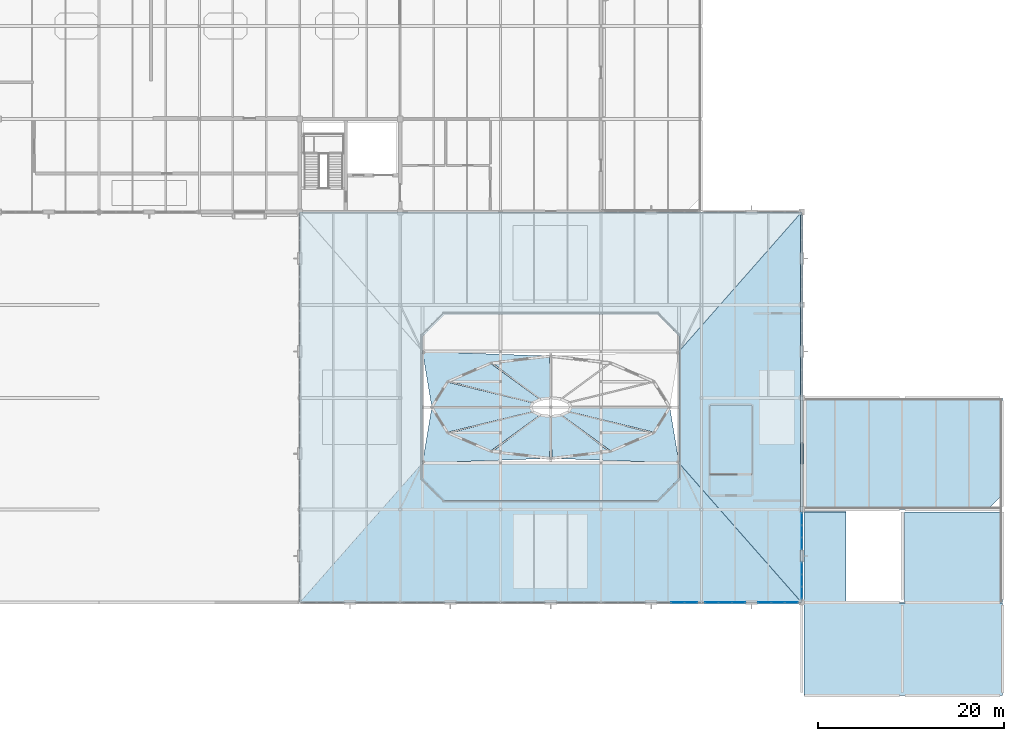
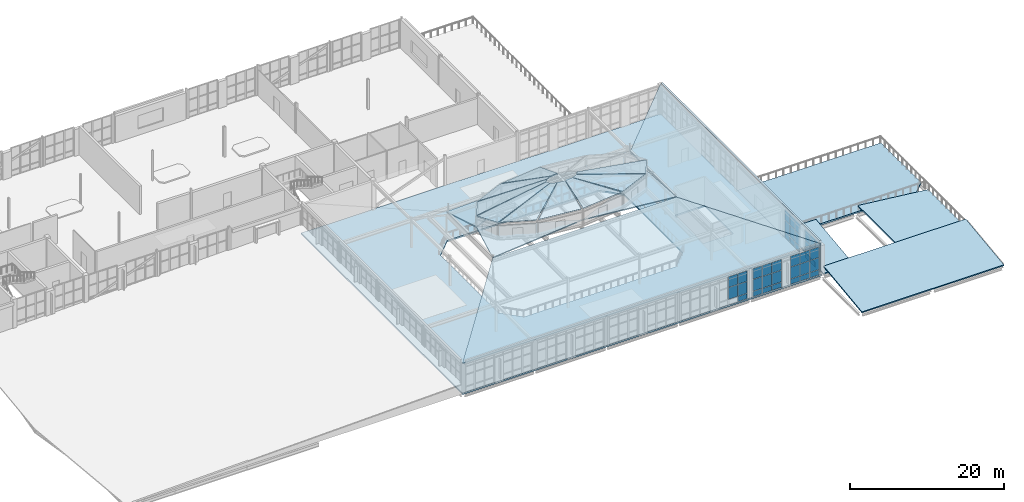
# One storey, part 61 of 86: 42 plates, 19 slabs, 5 elements without a shape of their own.
"""IFC4 building model written with IfcOpenShell, lengths in metres."""

from ifc_helpers import new_model, si_unit, direction, frame, origin, origin_2d, place, context, subcontext, project, spatial, polyline, rectangle, outline, extrude, material, layer, layer_set, type_object, element, aggregate, save


model = new_model("IFC4")

# Units and contexts
model_context = context("Model", 3, precision=1e-05, world=origin(), true_north=direction((0.0, 1.0)))
body_context = subcontext(model_context, "Body", "Model", "MODEL_VIEW")
ifc_project = project(units=[si_unit("LENGTHUNIT", "METRE"), si_unit("AREAUNIT", "SQUARE_METRE"), si_unit("VOLUMEUNIT", "CUBIC_METRE"), si_unit("PLANEANGLEUNIT", "RADIAN"), si_unit("MASSUNIT", "GRAM", prefix="KILO")], contexts=[model_context])

# Site, building, storey
site_placement = place(None, origin())
site = spatial("IfcSite", under=ifc_project, at=site_placement, CompositionType="ELEMENT")
building_placement = place(site_placement, origin())
building = spatial("IfcBuilding", under=site, at=building_placement, Name="Tasgan Crest Museum", CompositionType="ELEMENT")
storey_placement = place(building_placement, frame((0.0, 0.0, 24.0)))
storey = spatial("IfcBuildingStorey", under=building, at=storey_placement, Name="L04", CompositionType="ELEMENT", Elevation=24.0)

# Curtain wall, plate
ifc_material_1 = material(Name="Triple-Glazed Aluminium Curtain Wall", Category="aluminium")
ifc_layer_1 = layer(ifc_material_1, 0.179931640625, Name="CW-DRUM-X-48")
ifc_layer_set_1 = layer_set([ifc_layer_1], Name="Triple-Glazed Aluminium Curtain Wall")
curtain_wall_type_1 = type_object("IfcCurtainWallType", Name="CW-DRUM-X-48", PredefinedType="NOTDEFINED", material=ifc_layer_set_1)
curtain_wall_1_placement = place(storey_placement, origin())
curtain_wall_1 = element("IfcCurtainWall", 1, at=curtain_wall_1_placement, inside=storey, type_object=curtain_wall_type_1, Name="Curtain wall L04 192", PredefinedType="NOTDEFINED")
ifc_material_2 = material(Name="Insulated Spandrel Glass", Category="glass")
ifc_layer_2 = layer(ifc_material_2, 0.052001953125, Name="CW-PANEL-SPANDREL")
ifc_layer_set_2 = layer_set([ifc_layer_2], Name="Insulated Spandrel Glass")
plate_type_1 = type_object("IfcPlateType", Name="CW-PANEL-SPANDREL", PredefinedType="CURTAIN_PANEL", material=ifc_layer_set_2)
plate_1_placement = place(storey_placement, frame((96.08837890625, 40.0, 0.06005859375), z_axis=(0.0, 0.0, 1.0), x_axis=(1.0, 0.0, 0.0)))
plate_1 = element("IfcPlate", 2, at=plate_1_placement, type_object=plate_type_1, Name="CW03 panel 3.1", PredefinedType="CURTAIN_PANEL", context=body_context, shape_type="SweptSolid", body=[
    extrude(rectangle(XDim=1.373291015625, YDim=0.028076171875, at=origin_2d()), origin(), (0.0, 0.0, 1.0), 0.81005859375),
])

# Curtain wall, plates
curtain_wall_2_placement = place(storey_placement, origin())
curtain_wall_2 = element("IfcCurtainWall", 3, at=curtain_wall_2_placement, inside=storey, type_object=curtain_wall_type_1, Name="Curtain wall L04 193", PredefinedType="NOTDEFINED")
plate_2_placement = place(storey_placement, frame((98.311767578125, 40.0, 0.06005859375), z_axis=(0.0, 0.0, 1.0), x_axis=(1.0, 0.0, 0.0)))
plate_2 = element("IfcPlate", 4, at=plate_2_placement, type_object=plate_type_1, Name="CW03 panel 1.1", PredefinedType="CURTAIN_PANEL", context=body_context, shape_type="SweptSolid", body=[
    extrude(rectangle(XDim=1.373291015625, YDim=0.028076171875, at=origin_2d()), origin(), (0.0, 0.0, 1.0), 0.81005859375),
])
plate_3_placement = place(storey_placement, frame((99.760009765625, 40.0, 0.06005859375), z_axis=(0.0, 0.0, 1.0), x_axis=(1.0, 0.0, 0.0)))
plate_3 = element("IfcPlate", 5, at=plate_3_placement, type_object=plate_type_1, Name="CW03 panel 2.1", PredefinedType="CURTAIN_PANEL", context=body_context, shape_type="SweptSolid", body=[
    extrude(rectangle(XDim=1.4033203125, YDim=0.028076171875, at=origin_2d()), origin(), (0.0, 0.0, 1.0), 0.81005859375),
])
plate_4_placement = place(storey_placement, frame((101.208251953125, 40.0, 0.06005859375), z_axis=(0.0, 0.0, 1.0), x_axis=(1.0, 0.0, 0.0)))
plate_4 = element("IfcPlate", 6, at=plate_4_placement, type_object=plate_type_1, Name="CW03 panel 3.1", PredefinedType="CURTAIN_PANEL", context=body_context, shape_type="SweptSolid", body=[
    extrude(rectangle(XDim=1.373291015625, YDim=0.028076171875, at=origin_2d()), origin(), (0.0, 0.0, 1.0), 0.81005859375),
])

curtain_wall_3_placement = place(storey_placement, origin())
curtain_wall_3 = element("IfcCurtainWall", 7, at=curtain_wall_3_placement, inside=storey, type_object=curtain_wall_type_1, Name="Curtain wall L04 194", PredefinedType="NOTDEFINED")
plate_5_placement = place(storey_placement, frame((103.99169921875, 40.0, 0.06005859375), z_axis=(0.0, 0.0, 1.0), x_axis=(1.0, 0.0, 0.0)))
plate_5 = element("IfcPlate", 8, at=plate_5_placement, type_object=plate_type_1, Name="CW03 panel 1.1", PredefinedType="CURTAIN_PANEL", context=body_context, shape_type="SweptSolid", body=[
    extrude(rectangle(XDim=1.373291015625, YDim=0.028076171875, at=origin_2d()), origin(), (0.0, 0.0, 1.0), 0.81005859375),
])
plate_6_placement = place(storey_placement, frame((105.43994140625, 40.0, 0.06005859375), z_axis=(0.0, 0.0, 1.0), x_axis=(1.0, 0.0, 0.0)))
plate_6 = element("IfcPlate", 9, at=plate_6_placement, type_object=plate_type_1, Name="CW03 panel 2.1", PredefinedType="CURTAIN_PANEL", context=body_context, shape_type="SweptSolid", body=[
    extrude(rectangle(XDim=1.4033203125, YDim=0.028076171875, at=origin_2d()), origin(), (0.0, 0.0, 1.0), 0.81005859375),
])
plate_7_placement = place(storey_placement, frame((106.888427734375, 40.0, 0.06005859375), z_axis=(0.0, 0.0, 1.0), x_axis=(1.0, 0.0, 0.0)))
plate_7 = element("IfcPlate", 10, at=plate_7_placement, type_object=plate_type_1, Name="CW03 panel 3.1", PredefinedType="CURTAIN_PANEL", context=body_context, shape_type="SweptSolid", body=[
    extrude(rectangle(XDim=1.373291015625, YDim=0.028076171875, at=origin_2d()), origin(), (0.0, 0.0, 1.0), 0.81005859375),
])

ifc_material_3 = material(Name="Triple-Glazed Aluminium Curtain Wall", Category="aluminium")
ifc_layer_3 = layer(ifc_material_3, 0.179931640625, Name="CW-DRUM-Y10-48")
ifc_layer_set_3 = layer_set([ifc_layer_3], Name="Triple-Glazed Aluminium Curtain Wall")
curtain_wall_type_2 = type_object("IfcCurtainWallType", Name="CW-DRUM-Y10-48", PredefinedType="NOTDEFINED", material=ifc_layer_set_3)
curtain_wall_4_placement = place(storey_placement, origin())
curtain_wall_4 = element("IfcCurtainWall", 11, at=curtain_wall_4_placement, inside=storey, type_object=curtain_wall_type_2, Name="Curtain wall L04 195", PredefinedType="NOTDEFINED")
plate_8_placement = place(storey_placement, frame((108.0, 41.044921875, 0.06005859375), z_axis=(0.0, 0.0, 1.0), x_axis=(0.0, 1.0, 0.0)))
plate_8 = element("IfcPlate", 12, at=plate_8_placement, type_object=plate_type_1, Name="CW04 panel 1.1", PredefinedType="CURTAIN_PANEL", context=body_context, shape_type="SweptSolid", body=[
    extrude(rectangle(XDim=1.239990234375, YDim=0.028076171875, at=origin_2d()), origin(), (0.0, 0.0, 1.0), 0.81005859375),
])
plate_9_placement = place(storey_placement, frame((108.0, 42.360107421875, 0.06005859375), z_axis=(0.0, 0.0, 1.0), x_axis=(0.0, 1.0, 0.0)))
plate_9 = element("IfcPlate", 13, at=plate_9_placement, type_object=plate_type_1, Name="CW04 panel 2.1", PredefinedType="CURTAIN_PANEL", context=body_context, shape_type="SweptSolid", body=[
    extrude(rectangle(XDim=1.27001953125, YDim=0.028076171875, at=origin_2d()), origin(), (0.0, 0.0, 1.0), 0.81005859375),
])
plate_10_placement = place(storey_placement, frame((108.0, 43.675048828125, 0.06005859375), z_axis=(0.0, 0.0, 1.0), x_axis=(0.0, 1.0, 0.0)))
plate_10 = element("IfcPlate", 14, at=plate_10_placement, type_object=plate_type_1, Name="CW04 panel 3.1", PredefinedType="CURTAIN_PANEL", context=body_context, shape_type="SweptSolid", body=[
    extrude(rectangle(XDim=1.239990234375, YDim=0.028076171875, at=origin_2d()), origin(), (0.0, 0.0, 1.0), 0.81005859375),
])

curtain_wall_5_placement = place(storey_placement, origin())
curtain_wall_5 = element("IfcCurtainWall", 15, at=curtain_wall_5_placement, inside=storey, type_object=curtain_wall_type_2, Name="Curtain wall L04 196", PredefinedType="NOTDEFINED")
plate_11_placement = place(storey_placement, frame((108.0, 46.324951171875, 0.06005859375), z_axis=(0.0, 0.0, 1.0), x_axis=(0.0, 1.0, 0.0)))
plate_11 = element("IfcPlate", 16, at=plate_11_placement, type_object=plate_type_1, Name="CW04 panel 1.1", PredefinedType="CURTAIN_PANEL", context=body_context, shape_type="SweptSolid", body=[
    extrude(rectangle(XDim=1.239990234375, YDim=0.028076171875, at=origin_2d()), origin(), (0.0, 0.0, 1.0), 0.81005859375),
])
plate_12_placement = place(storey_placement, frame((108.0, 47.639892578125, 0.06005859375), z_axis=(0.0, 0.0, 1.0), x_axis=(0.0, 1.0, 0.0)))
plate_12 = element("IfcPlate", 17, at=plate_12_placement, type_object=plate_type_1, Name="CW04 panel 2.1", PredefinedType="CURTAIN_PANEL", context=body_context, shape_type="SweptSolid", body=[
    extrude(rectangle(XDim=1.27001953125, YDim=0.028076171875, at=origin_2d()), origin(), (0.0, 0.0, 1.0), 0.81005859375),
])
plate_13_placement = place(storey_placement, frame((108.0, 48.955078125, 0.06005859375), z_axis=(0.0, 0.0, 1.0), x_axis=(0.0, 1.0, 0.0)))
plate_13 = element("IfcPlate", 18, at=plate_13_placement, type_object=plate_type_1, Name="CW04 panel 3.1", PredefinedType="CURTAIN_PANEL", context=body_context, shape_type="SweptSolid", body=[
    extrude(rectangle(XDim=1.239990234375, YDim=0.028076171875, at=origin_2d()), origin(), (0.0, 0.0, 1.0), 0.81005859375),
])

# Plate
ifc_material_4 = material(Name="Low-E Triple Glazing", Category="glass")
ifc_layer_4 = layer(ifc_material_4, 0.0439453125, Name="CW-PANEL-TRIPLE")
ifc_layer_set_4 = layer_set([ifc_layer_4], Name="Low-E Triple Glazing")
plate_type_2 = type_object("IfcPlateType", Name="CW-PANEL-TRIPLE", PredefinedType="CURTAIN_PANEL", material=ifc_layer_set_4)
plate_14_placement = place(storey_placement, frame((94.639892578125, 40.0, 0.93017578125), z_axis=(0.0, 0.0, 1.0), x_axis=(1.0, 0.0, 0.0)))
plate_14 = element("IfcPlate", 19, at=plate_14_placement, type_object=plate_type_2, Name="CW03 panel 2.2", PredefinedType="CURTAIN_PANEL", context=body_context, shape_type="SweptSolid", body=[
    extrude(rectangle(XDim=1.4033203125, YDim=0.028076171875, at=origin_2d()), origin(), (0.0, 0.0, 1.0), 1.840087890625),
])

plate_15_placement = place(storey_placement, frame((94.639892578125, 40.0, 2.830078125), z_axis=(0.0, 0.0, 1.0), x_axis=(1.0, 0.0, 0.0)))
plate_15 = element("IfcPlate", 20, at=plate_15_placement, type_object=plate_type_2, Name="CW03 panel 2.3", PredefinedType="CURTAIN_PANEL", context=body_context, shape_type="SweptSolid", body=[
    extrude(rectangle(XDim=1.4033203125, YDim=0.028076171875, at=origin_2d()), origin(), (0.0, 0.0, 1.0), 1.669921875),
])

plate_16_placement = place(storey_placement, frame((96.08837890625, 40.0, 0.93017578125), z_axis=(0.0, 0.0, 1.0), x_axis=(1.0, 0.0, 0.0)))
plate_16 = element("IfcPlate", 21, at=plate_16_placement, type_object=plate_type_2, Name="CW03 panel 3.2", PredefinedType="CURTAIN_PANEL", context=body_context, shape_type="SweptSolid", body=[
    extrude(rectangle(XDim=1.373291015625, YDim=0.028076171875, at=origin_2d()), origin(), (0.0, 0.0, 1.0), 1.840087890625),
])

plate_17_placement = place(storey_placement, frame((96.08837890625, 40.0, 2.830078125), z_axis=(0.0, 0.0, 1.0), x_axis=(1.0, 0.0, 0.0)))
plate_17 = element("IfcPlate", 22, at=plate_17_placement, type_object=plate_type_2, Name="CW03 panel 3.3", PredefinedType="CURTAIN_PANEL", context=body_context, shape_type="SweptSolid", body=[
    extrude(rectangle(XDim=1.373291015625, YDim=0.028076171875, at=origin_2d()), origin(), (0.0, 0.0, 1.0), 1.669921875),
])

aggregate(curtain_wall_1, [plate_14, plate_15, plate_1, plate_16, plate_17])

plate_18_placement = place(storey_placement, frame((98.311767578125, 40.0, 0.93017578125), z_axis=(0.0, 0.0, 1.0), x_axis=(1.0, 0.0, 0.0)))
plate_18 = element("IfcPlate", 23, at=plate_18_placement, type_object=plate_type_2, Name="CW03 panel 1.2", PredefinedType="CURTAIN_PANEL", context=body_context, shape_type="SweptSolid", body=[
    extrude(rectangle(XDim=1.373291015625, YDim=0.028076171875, at=origin_2d()), origin(), (0.0, 0.0, 1.0), 1.840087890625),
])

plate_19_placement = place(storey_placement, frame((98.311767578125, 40.0, 2.830078125), z_axis=(0.0, 0.0, 1.0), x_axis=(1.0, 0.0, 0.0)))
plate_19 = element("IfcPlate", 24, at=plate_19_placement, type_object=plate_type_2, Name="CW03 panel 1.3", PredefinedType="CURTAIN_PANEL", context=body_context, shape_type="SweptSolid", body=[
    extrude(rectangle(XDim=1.373291015625, YDim=0.028076171875, at=origin_2d()), origin(), (0.0, 0.0, 1.0), 1.669921875),
])

plate_20_placement = place(storey_placement, frame((99.760009765625, 40.0, 0.93017578125), z_axis=(0.0, 0.0, 1.0), x_axis=(1.0, 0.0, 0.0)))
plate_20 = element("IfcPlate", 25, at=plate_20_placement, type_object=plate_type_2, Name="CW03 panel 2.2", PredefinedType="CURTAIN_PANEL", context=body_context, shape_type="SweptSolid", body=[
    extrude(rectangle(XDim=1.4033203125, YDim=0.028076171875, at=origin_2d()), origin(), (0.0, 0.0, 1.0), 1.840087890625),
])

plate_21_placement = place(storey_placement, frame((99.760009765625, 40.0, 2.830078125), z_axis=(0.0, 0.0, 1.0), x_axis=(1.0, 0.0, 0.0)))
plate_21 = element("IfcPlate", 26, at=plate_21_placement, type_object=plate_type_2, Name="CW03 panel 2.3", PredefinedType="CURTAIN_PANEL", context=body_context, shape_type="SweptSolid", body=[
    extrude(rectangle(XDim=1.4033203125, YDim=0.028076171875, at=origin_2d()), origin(), (0.0, 0.0, 1.0), 1.669921875),
])

plate_22_placement = place(storey_placement, frame((101.208251953125, 40.0, 0.93017578125), z_axis=(0.0, 0.0, 1.0), x_axis=(1.0, 0.0, 0.0)))
plate_22 = element("IfcPlate", 27, at=plate_22_placement, type_object=plate_type_2, Name="CW03 panel 3.2", PredefinedType="CURTAIN_PANEL", context=body_context, shape_type="SweptSolid", body=[
    extrude(rectangle(XDim=1.373291015625, YDim=0.028076171875, at=origin_2d()), origin(), (0.0, 0.0, 1.0), 1.840087890625),
])

plate_23_placement = place(storey_placement, frame((101.208251953125, 40.0, 2.830078125), z_axis=(0.0, 0.0, 1.0), x_axis=(1.0, 0.0, 0.0)))
plate_23 = element("IfcPlate", 28, at=plate_23_placement, type_object=plate_type_2, Name="CW03 panel 3.3", PredefinedType="CURTAIN_PANEL", context=body_context, shape_type="SweptSolid", body=[
    extrude(rectangle(XDim=1.373291015625, YDim=0.028076171875, at=origin_2d()), origin(), (0.0, 0.0, 1.0), 1.669921875),
])

aggregate(curtain_wall_2, [plate_2, plate_18, plate_19, plate_3, plate_20, plate_21, plate_4, plate_22, plate_23])

plate_24_placement = place(storey_placement, frame((103.99169921875, 40.0, 0.93017578125), z_axis=(0.0, 0.0, 1.0), x_axis=(1.0, 0.0, 0.0)))
plate_24 = element("IfcPlate", 29, at=plate_24_placement, type_object=plate_type_2, Name="CW03 panel 1.2", PredefinedType="CURTAIN_PANEL", context=body_context, shape_type="SweptSolid", body=[
    extrude(rectangle(XDim=1.373291015625, YDim=0.028076171875, at=origin_2d()), origin(), (0.0, 0.0, 1.0), 1.840087890625),
])

plate_25_placement = place(storey_placement, frame((103.99169921875, 40.0, 2.830078125), z_axis=(0.0, 0.0, 1.0), x_axis=(1.0, 0.0, 0.0)))
plate_25 = element("IfcPlate", 30, at=plate_25_placement, type_object=plate_type_2, Name="CW03 panel 1.3", PredefinedType="CURTAIN_PANEL", context=body_context, shape_type="SweptSolid", body=[
    extrude(rectangle(XDim=1.373291015625, YDim=0.028076171875, at=origin_2d()), origin(), (0.0, 0.0, 1.0), 1.669921875),
])

plate_26_placement = place(storey_placement, frame((105.43994140625, 40.0, 0.93017578125), z_axis=(0.0, 0.0, 1.0), x_axis=(1.0, 0.0, 0.0)))
plate_26 = element("IfcPlate", 31, at=plate_26_placement, type_object=plate_type_2, Name="CW03 panel 2.2", PredefinedType="CURTAIN_PANEL", context=body_context, shape_type="SweptSolid", body=[
    extrude(rectangle(XDim=1.4033203125, YDim=0.028076171875, at=origin_2d()), origin(), (0.0, 0.0, 1.0), 1.840087890625),
])

plate_27_placement = place(storey_placement, frame((105.43994140625, 40.0, 2.830078125), z_axis=(0.0, 0.0, 1.0), x_axis=(1.0, 0.0, 0.0)))
plate_27 = element("IfcPlate", 32, at=plate_27_placement, type_object=plate_type_2, Name="CW03 panel 2.3", PredefinedType="CURTAIN_PANEL", context=body_context, shape_type="SweptSolid", body=[
    extrude(rectangle(XDim=1.4033203125, YDim=0.028076171875, at=origin_2d()), origin(), (0.0, 0.0, 1.0), 1.669921875),
])

plate_28_placement = place(storey_placement, frame((106.888427734375, 40.0, 0.93017578125), z_axis=(0.0, 0.0, 1.0), x_axis=(1.0, 0.0, 0.0)))
plate_28 = element("IfcPlate", 33, at=plate_28_placement, type_object=plate_type_2, Name="CW03 panel 3.2", PredefinedType="CURTAIN_PANEL", context=body_context, shape_type="SweptSolid", body=[
    extrude(rectangle(XDim=1.373291015625, YDim=0.028076171875, at=origin_2d()), origin(), (0.0, 0.0, 1.0), 1.840087890625),
])

plate_29_placement = place(storey_placement, frame((106.888427734375, 40.0, 2.830078125), z_axis=(0.0, 0.0, 1.0), x_axis=(1.0, 0.0, 0.0)))
plate_29 = element("IfcPlate", 34, at=plate_29_placement, type_object=plate_type_2, Name="CW03 panel 3.3", PredefinedType="CURTAIN_PANEL", context=body_context, shape_type="SweptSolid", body=[
    extrude(rectangle(XDim=1.373291015625, YDim=0.028076171875, at=origin_2d()), origin(), (0.0, 0.0, 1.0), 1.669921875),
])

aggregate(curtain_wall_3, [plate_5, plate_24, plate_25, plate_6, plate_26, plate_27, plate_7, plate_28, plate_29])

plate_30_placement = place(storey_placement, frame((108.0, 41.044921875, 0.93017578125), z_axis=(0.0, 0.0, 1.0), x_axis=(0.0, 1.0, 0.0)))
plate_30 = element("IfcPlate", 35, at=plate_30_placement, type_object=plate_type_2, Name="CW04 panel 1.2", PredefinedType="CURTAIN_PANEL", context=body_context, shape_type="SweptSolid", body=[
    extrude(rectangle(XDim=1.239990234375, YDim=0.028076171875, at=origin_2d()), origin(), (0.0, 0.0, 1.0), 1.840087890625),
])

plate_31_placement = place(storey_placement, frame((108.0, 41.044921875, 2.830078125), z_axis=(0.0, 0.0, 1.0), x_axis=(0.0, 1.0, 0.0)))
plate_31 = element("IfcPlate", 36, at=plate_31_placement, type_object=plate_type_2, Name="CW04 panel 1.3", PredefinedType="CURTAIN_PANEL", context=body_context, shape_type="SweptSolid", body=[
    extrude(rectangle(XDim=1.239990234375, YDim=0.028076171875, at=origin_2d()), origin(), (0.0, 0.0, 1.0), 1.669921875),
])

plate_32_placement = place(storey_placement, frame((108.0, 42.360107421875, 0.93017578125), z_axis=(0.0, 0.0, 1.0), x_axis=(0.0, 1.0, 0.0)))
plate_32 = element("IfcPlate", 37, at=plate_32_placement, type_object=plate_type_2, Name="CW04 panel 2.2", PredefinedType="CURTAIN_PANEL", context=body_context, shape_type="SweptSolid", body=[
    extrude(rectangle(XDim=1.27001953125, YDim=0.028076171875, at=origin_2d()), origin(), (0.0, 0.0, 1.0), 1.840087890625),
])

plate_33_placement = place(storey_placement, frame((108.0, 42.360107421875, 2.830078125), z_axis=(0.0, 0.0, 1.0), x_axis=(0.0, 1.0, 0.0)))
plate_33 = element("IfcPlate", 38, at=plate_33_placement, type_object=plate_type_2, Name="CW04 panel 2.3", PredefinedType="CURTAIN_PANEL", context=body_context, shape_type="SweptSolid", body=[
    extrude(rectangle(XDim=1.27001953125, YDim=0.028076171875, at=origin_2d()), origin(), (0.0, 0.0, 1.0), 1.669921875),
])

plate_34_placement = place(storey_placement, frame((108.0, 43.675048828125, 0.93017578125), z_axis=(0.0, 0.0, 1.0), x_axis=(0.0, 1.0, 0.0)))
plate_34 = element("IfcPlate", 39, at=plate_34_placement, type_object=plate_type_2, Name="CW04 panel 3.2", PredefinedType="CURTAIN_PANEL", context=body_context, shape_type="SweptSolid", body=[
    extrude(rectangle(XDim=1.239990234375, YDim=0.028076171875, at=origin_2d()), origin(), (0.0, 0.0, 1.0), 1.840087890625),
])

plate_35_placement = place(storey_placement, frame((108.0, 43.675048828125, 2.830078125), z_axis=(0.0, 0.0, 1.0), x_axis=(0.0, 1.0, 0.0)))
plate_35 = element("IfcPlate", 40, at=plate_35_placement, type_object=plate_type_2, Name="CW04 panel 3.3", PredefinedType="CURTAIN_PANEL", context=body_context, shape_type="SweptSolid", body=[
    extrude(rectangle(XDim=1.239990234375, YDim=0.028076171875, at=origin_2d()), origin(), (0.0, 0.0, 1.0), 1.669921875),
])

aggregate(curtain_wall_4, [plate_8, plate_30, plate_31, plate_9, plate_32, plate_33, plate_10, plate_34, plate_35])

plate_36_placement = place(storey_placement, frame((108.0, 46.324951171875, 0.93017578125), z_axis=(0.0, 0.0, 1.0), x_axis=(0.0, 1.0, 0.0)))
plate_36 = element("IfcPlate", 41, at=plate_36_placement, type_object=plate_type_2, Name="CW04 panel 1.2", PredefinedType="CURTAIN_PANEL", context=body_context, shape_type="SweptSolid", body=[
    extrude(rectangle(XDim=1.239990234375, YDim=0.028076171875, at=origin_2d()), origin(), (0.0, 0.0, 1.0), 1.840087890625),
])

plate_37_placement = place(storey_placement, frame((108.0, 46.324951171875, 2.830078125), z_axis=(0.0, 0.0, 1.0), x_axis=(0.0, 1.0, 0.0)))
plate_37 = element("IfcPlate", 42, at=plate_37_placement, type_object=plate_type_2, Name="CW04 panel 1.3", PredefinedType="CURTAIN_PANEL", context=body_context, shape_type="SweptSolid", body=[
    extrude(rectangle(XDim=1.239990234375, YDim=0.028076171875, at=origin_2d()), origin(), (0.0, 0.0, 1.0), 1.669921875),
])

plate_38_placement = place(storey_placement, frame((108.0, 47.639892578125, 0.93017578125), z_axis=(0.0, 0.0, 1.0), x_axis=(0.0, 1.0, 0.0)))
plate_38 = element("IfcPlate", 43, at=plate_38_placement, type_object=plate_type_2, Name="CW04 panel 2.2", PredefinedType="CURTAIN_PANEL", context=body_context, shape_type="SweptSolid", body=[
    extrude(rectangle(XDim=1.27001953125, YDim=0.028076171875, at=origin_2d()), origin(), (0.0, 0.0, 1.0), 1.840087890625),
])

plate_39_placement = place(storey_placement, frame((108.0, 47.639892578125, 2.830078125), z_axis=(0.0, 0.0, 1.0), x_axis=(0.0, 1.0, 0.0)))
plate_39 = element("IfcPlate", 44, at=plate_39_placement, type_object=plate_type_2, Name="CW04 panel 2.3", PredefinedType="CURTAIN_PANEL", context=body_context, shape_type="SweptSolid", body=[
    extrude(rectangle(XDim=1.27001953125, YDim=0.028076171875, at=origin_2d()), origin(), (0.0, 0.0, 1.0), 1.669921875),
])

plate_40_placement = place(storey_placement, frame((108.0, 48.955078125, 0.93017578125), z_axis=(0.0, 0.0, 1.0), x_axis=(0.0, 1.0, 0.0)))
plate_40 = element("IfcPlate", 45, at=plate_40_placement, type_object=plate_type_2, Name="CW04 panel 3.2", PredefinedType="CURTAIN_PANEL", context=body_context, shape_type="SweptSolid", body=[
    extrude(rectangle(XDim=1.239990234375, YDim=0.028076171875, at=origin_2d()), origin(), (0.0, 0.0, 1.0), 1.840087890625),
])

plate_41_placement = place(storey_placement, frame((108.0, 48.955078125, 2.830078125), z_axis=(0.0, 0.0, 1.0), x_axis=(0.0, 1.0, 0.0)))
plate_41 = element("IfcPlate", 46, at=plate_41_placement, type_object=plate_type_2, Name="CW04 panel 3.3", PredefinedType="CURTAIN_PANEL", context=body_context, shape_type="SweptSolid", body=[
    extrude(rectangle(XDim=1.239990234375, YDim=0.028076171875, at=origin_2d()), origin(), (0.0, 0.0, 1.0), 1.669921875),
])

aggregate(curtain_wall_5, [plate_11, plate_36, plate_37, plate_12, plate_38, plate_39, plate_13, plate_40, plate_41])

ifc_material_5 = material(Name="Pre-weathered Zinc Sheet")
ifc_layer_5 = layer(ifc_material_5, 0.011962890625, Name="PL-FLASH-SHEET")
ifc_layer_set_5 = layer_set([ifc_layer_5], Name="Pre-weathered Zinc Sheet")
plate_type_3 = type_object("IfcPlateType", Name="PL-FLASH-SHEET", PredefinedType="SHEET", material=ifc_layer_set_5)
plate_42_placement = place(storey_placement, frame((108.0, 61.0, 5.14990234375), z_axis=(0.0, 0.0, 1.0), x_axis=(0.0, 1.0, 0.0)))
element("IfcPlate", 47, at=plate_42_placement, inside=storey, type_object=plate_type_3, Name="Zinc parapet coping L04 V2-E", PredefinedType="SHEET", context=body_context, shape_type="SweptSolid", body=[
    extrude(rectangle(XDim=41.300048828125, YDim=0.300048828125, at=origin_2d()), origin(), (0.0, 0.0, 1.0), 0.011962890625),
])

# Slabs
ifc_material_6 = material(Name="Concrete C35/45", Category="concrete")
ifc_layer_6 = layer(ifc_material_6, 0.239990234375, Name="SL-FLR-240")
ifc_layer_set_6 = layer_set([ifc_layer_6], Name="Concrete C35/45")
slab_type_1 = type_object("IfcSlabType", Name="SL-FLR-240", PredefinedType="FLOOR", material=ifc_layer_set_6)
slab_1_placement = place(storey_placement, frame((0.0, 0.0, -0.239990234375)))
element("IfcSlab", 48, at=slab_1_placement, inside=storey, type_object=slab_type_1, Name="Floor slab L04 V2", PredefinedType="FLOOR", context=body_context, shape_type="SweptSolid", body=[
    extrude(outline(polyline([(54.0, 40.0), (108.0, 40.0), (108.0, 82.0), (54.0, 82.0), (54.0, 40.0)]), holes=[polyline([(69.60009765625, 51.0), (92.39990234375, 51.0), (94.800048828125, 53.39990234375), (94.800048828125, 68.60009765625), (92.39990234375, 71.0), (69.60009765625, 71.0), (67.199951171875, 68.60009765625), (67.199951171875, 53.39990234375), (69.60009765625, 51.0)]), polyline([(98.14990234375, 53.75), (102.64990234375, 53.75), (102.64990234375, 61.14990234375), (98.14990234375, 61.14990234375), (98.14990234375, 53.75)])]), origin(), (0.0, 0.0, 1.0), 0.239990234375),
])
ifc_material_7 = material(Name="Concrete C35/45", Category="concrete")
ifc_layer_7 = layer(ifc_material_7, 0.199951171875, Name="SL-ROOF-200")
ifc_layer_set_7 = layer_set([ifc_layer_7], Name="Concrete C35/45")
slab_type_2 = type_object("IfcSlabType", Name="SL-ROOF-200", PredefinedType="ROOF", material=ifc_layer_set_7)
slab_2_placement = place(storey_placement, frame((108.25, 30.0, 0.0), z_axis=(0.0, -0.124648966548, 0.992200904625), x_axis=(1.0, 0.0, 0.0)))
element("IfcSlab", 49, at=slab_2_placement, inside=storey, type_object=slab_type_2, Name="East upper archive south roof", PredefinedType="ROOF", context=body_context, shape_type="SweptSolid", body=[
    extrude(outline(polyline([(0.0, 0.0), (21.35009765625, 0.0), (21.35009765625, 10.028161761893188), (0.0, 10.028161761893188), (0.0, 0.0)])), origin(), (0.0, 0.0, -1.0), 0.199951171875),
])
slab_3_placement = place(storey_placement, frame((119.050048828125, 40.050048828125, 1.14990234375), z_axis=(0.108353265342, 0.0, 0.994112453342), x_axis=(0.994112453342, 0.0, -0.108353265342)))
element("IfcSlab", 50, at=slab_3_placement, inside=storey, type_object=slab_type_2, Name="East upper archive corridor roof", PredefinedType="ROOF", context=body_context, shape_type="SweptSolid", body=[
    extrude(outline(polyline([(0.0, 0.0), (10.61253059717537, 0.0), (10.61253059717537, 9.699951171875), (0.0, 9.699951171875), (0.0, 0.0)])), origin(), (0.0, 0.0, -1.0), 0.199951171875),
])
slab_4_placement = place(storey_placement, frame((108.25, 40.050048828125, 0.0), z_axis=(0.0, -0.117722909888, 0.993046482541), x_axis=(1.0, 0.0, 0.0)))
element("IfcSlab", 51, at=slab_4_placement, inside=storey, type_object=slab_type_2, Name="East core stairwell sloped cap", PredefinedType="ROOF", context=body_context, shape_type="SweptSolid", body=[
    extrude(outline(polyline([(0.0, 0.0), (4.5, 0.0), (4.5, 9.767872242045394), (0.0, 9.767872242045394), (0.0, 0.0)])), origin(), (0.0, 0.0, -1.0), 0.199951171875),
])
slab_5_placement = place(storey_placement, frame((54.0, 40.0, 4.800048828125), z_axis=(0.0, -0.196116135138, 0.980580675691), x_axis=(1.0, 0.0, 0.0)))
element("IfcSlab", 52, at=slab_5_placement, inside=storey, type_object=slab_type_2, Name="Winter-garden lantern south sloped roof", PredefinedType="ROOF", context=body_context, shape_type="SweptSolid", body=[
    extrude(outline(polyline([(0.0, 0.0), (54.0, 0.0), (40.800048828125, 15.297058540778353), (13.199951171875, 15.297058540778353), (0.0, 0.0)])), origin(), (0.0, 0.0, -1.0), 0.199951171875),
])
slab_6_placement = place(storey_placement, frame((94.800048828125, 55.0, 7.800048828125), z_axis=(0.221621883125, 0.0, 0.975132678624), x_axis=(0.653303872805, -0.742393510739, -0.148478702148)))
element("IfcSlab", 53, at=slab_6_placement, inside=storey, type_object=slab_type_2, Name="Winter-garden lantern east sloped roof", PredefinedType="ROOF", context=body_context, shape_type="SweptSolid", body=[
    extrude(outline(polyline([(0.0, 0.0), (20.204917988942302, -6.661338147750939e-16), (-10.97560946208645, 28.138491570722884), (-8.908722128865357, 8.039569020206539), (0.0, 0.0)])), origin(), (0.0, 0.0, -1.0), 0.199951171875),
])
slab_7_placement = place(storey_placement, frame((67.199951171875, 67.0, 7.860107421875), z_axis=(-0.058159606852, 0.135353783188, 0.989088880489), x_axis=(0.162705561563, -0.976233369381, 0.143161827118)))
element("IfcSlab", 54, at=slab_7_placement, inside=storey, type_object=slab_type_2, Name="Winter-garden lantern NW corner sloped roof", PredefinedType="ROOF", context=body_context, shape_type="SweptSolid", body=[
    extrude(outline(polyline([(0.0, 0.0), (6.146071408935378, 1.0408340855860843e-16), (2.859427009960842, 13.53843486511914), (0.0, 0.0)])), origin(), (0.0, 0.0, -1.0), 0.179931640625),
])
slab_8_placement = place(storey_placement, frame((67.199951171875, 55.0, 7.860107421875), z_axis=(-0.058159606852, -0.135353783188, 0.989088880489), x_axis=(0.99732179719, 0.03613471987, 0.063588637896)))
element("IfcSlab", 55, at=slab_8_placement, inside=storey, type_object=slab_type_2, Name="Winter-garden lantern SW corner sloped roof", PredefinedType="ROOF", context=body_context, shape_type="SweptSolid", body=[
    extrude(outline(polyline([(0.0, 0.0), (13.837107408066439, 9.71445146547012e-17), (1.270080665964397, 6.013409088501824), (0.0, 0.0)])), origin(), (0.0, 0.0, -1.0), 0.179931640625),
])
slab_9_placement = place(storey_placement, frame((94.800048828125, 55.0, 7.860107421875), z_axis=(0.058159606852, -0.135353783188, 0.989088880489), x_axis=(-0.162705561563, 0.976233369381, 0.143161827118)))
element("IfcSlab", 56, at=slab_9_placement, inside=storey, type_object=slab_type_2, Name="Winter-garden lantern SE corner sloped roof", PredefinedType="ROOF", context=body_context, shape_type="SweptSolid", body=[
    extrude(outline(polyline([(0.0, 0.0), (6.146071408935378, 1.0408340855860843e-16), (2.859427009960842, 13.53843486511914), (0.0, 0.0)])), origin(), (0.0, 0.0, -1.0), 0.179931640625),
])
slab_10_placement = place(storey_placement, frame((80.8720703125, 66.4853515625, 10.47998046875), z_axis=(-0.040991528453, 0.356035223436, 0.933573036386), x_axis=(-0.993435162359, -0.114396582714, 7.270094e-06)))
element("IfcSlab", 57, at=slab_10_placement, inside=storey, type_object=slab_type_2, Name="Rotunda conical roof facet 4", PredefinedType="ROOF", context=body_context, shape_type="SweptSolid", body=[
    extrude(outline(polyline([(0.0, 0.0), (6.184646140776927, 0.0), (1.5235299421382593, 4.799165883158938), (0.41028240671868926, 4.799313925192023), (0.0, 0.0)])), origin(), (0.0, 0.0, -1.0), 0.159912109375),
])
slab_11_placement = place(storey_placement, frame((74.50634765625, 65.722900390625, 10.47998046875), z_axis=(-0.114778377141, 0.267119916568, 0.956803466922), x_axis=(-0.918775519221, -0.394780376002, -1.946014e-06)))
element("IfcSlab", 58, at=slab_11_placement, inside=storey, type_object=slab_type_2, Name="Rotunda conical roof facet 5", PredefinedType="ROOF", context=body_context, shape_type="SweptSolid", body=[
    extrude(outline(polyline([(0.0, 0.0), (4.895430382578482, 2.220446049250313e-16), (-2.4821496635318456, 5.9159130086425655), (-3.3633072947671714, 5.91587434353543), (0.0, 0.0)])), origin(), (0.0, 0.0, -1.0), 0.159912109375),
])
slab_12_placement = place(storey_placement, frame((69.880615234375, 63.695068359375, 10.47998046875), z_axis=(-0.160897659909, 0.100334065822, 0.981857942001), x_axis=(-0.529110938201, -0.848552658966, 6.137904e-06)))
element("IfcSlab", 59, at=slab_12_placement, inside=storey, type_object=slab_type_2, Name="Rotunda conical roof facet 6", PredefinedType="ROOF", context=body_context, shape_type="SweptSolid", body=[
    extrude(outline(polyline([(0.0, 0.0), (3.1113387476436523, -4.440892098500626e-16), (-2.3891455432599185, 9.070792164879377), (-2.949112377567531, 9.070911004453126), (0.0, 0.0)])), origin(), (0.0, 0.0, -1.0), 0.159912109375),
])
slab_13_placement = place(storey_placement, frame((68.234375, 60.945068359375, 10.47998046875), z_axis=(-0.160897659909, -0.100334065822, 0.981857942001), x_axis=(0.529110938201, -0.848552658966, -6.137904e-06)))
element("IfcSlab", 60, at=slab_13_placement, inside=storey, type_object=slab_type_2, Name="Rotunda conical roof facet 7", PredefinedType="ROOF", context=body_context, shape_type="SweptSolid", body=[
    extrude(outline(polyline([(0.0, 0.0), (3.1113387476436523, 4.440892098500626e-16), (6.060451125211184, 9.070911004453126), (5.500484290903571, 9.070792164879377), (0.0, 0.0)])), origin(), (0.0, 0.0, -1.0), 0.159912109375),
])
slab_14_placement = place(storey_placement, frame((70.008544921875, 58.209716796875, 10.47998046875), z_axis=(-0.114778377141, -0.267119916568, 0.956803466922), x_axis=(0.918775519221, -0.394780376002, 1.946014e-06)))
element("IfcSlab", 61, at=slab_14_placement, inside=storey, type_object=slab_type_2, Name="Rotunda conical roof facet 8", PredefinedType="ROOF", context=body_context, shape_type="SweptSolid", body=[
    extrude(outline(polyline([(0.0, 0.0), (4.895430382578482, -2.220446049250313e-16), (8.258737677345653, 5.915874343535431), (7.377580046110328, 5.9159130086425655), (0.0, 0.0)])), origin(), (0.0, 0.0, -1.0), 0.159912109375),
])
slab_15_placement = place(storey_placement, frame((74.72802734375, 56.22216796875, 10.47998046875), z_axis=(-0.040991528453, -0.356035223436, 0.933573036386), x_axis=(0.993435162359, -0.114396582714, -7.270094e-06)))
element("IfcSlab", 62, at=slab_15_placement, inside=storey, type_object=slab_type_2, Name="Rotunda conical roof facet 9", PredefinedType="ROOF", context=body_context, shape_type="SweptSolid", body=[
    extrude(outline(polyline([(0.0, 0.0), (6.184646140776927, 0.0), (5.7743637340582366, 4.799313925192023), (4.661116198638667, 4.799165883158938), (0.0, 0.0)])), origin(), (0.0, 0.0, -1.0), 0.159912109375),
])
slab_16_placement = place(storey_placement, frame((81.1279296875, 55.5146484375, 10.47998046875), z_axis=(0.040991528453, -0.356035223436, 0.933573036386), x_axis=(0.993435162359, 0.114396582714, 7.270094e-06)))
element("IfcSlab", 63, at=slab_16_placement, inside=storey, type_object=slab_type_2, Name="Rotunda conical roof facet 10", PredefinedType="ROOF", context=body_context, shape_type="SweptSolid", body=[
    extrude(outline(polyline([(0.0, 0.0), (6.184646140776927, 0.0), (1.5235299421382593, 4.799165883158938), (0.41028240671868926, 4.799313925192023), (0.0, 0.0)])), origin(), (0.0, 0.0, -1.0), 0.159912109375),
])
slab_17_placement = place(storey_placement, frame((87.49365234375, 56.277099609375, 10.47998046875), z_axis=(0.114778377141, -0.267119916568, 0.956803466922), x_axis=(0.918775519221, 0.394780376002, -1.946014e-06)))
element("IfcSlab", 64, at=slab_17_placement, inside=storey, type_object=slab_type_2, Name="Rotunda conical roof facet 11", PredefinedType="ROOF", context=body_context, shape_type="SweptSolid", body=[
    extrude(outline(polyline([(0.0, 0.0), (4.895430382578482, 2.220446049250313e-16), (-2.4821496635318456, 5.9159130086425655), (-3.3633072947671714, 5.91587434353543), (0.0, 0.0)])), origin(), (0.0, 0.0, -1.0), 0.159912109375),
])
slab_18_placement = place(storey_placement, frame((92.119384765625, 58.304931640625, 10.47998046875), z_axis=(0.160897659909, -0.100334065822, 0.981857942001), x_axis=(0.529110938201, 0.848552658966, 6.137904e-06)))
element("IfcSlab", 65, at=slab_18_placement, inside=storey, type_object=slab_type_2, Name="Rotunda conical roof facet 12", PredefinedType="ROOF", context=body_context, shape_type="SweptSolid", body=[
    extrude(outline(polyline([(0.0, 0.0), (3.1113387476436523, -4.440892098500626e-16), (-2.3891455432599185, 9.070792164879377), (-2.949112377567531, 9.070911004453126), (0.0, 0.0)])), origin(), (0.0, 0.0, -1.0), 0.159912109375),
])
ifc_material_8 = material(Name="Concrete C35/45", Category="concrete")
ifc_layer_8 = layer(ifc_material_8, 0.25, Name="SL-TER-250")
ifc_layer_set_8 = layer_set([ifc_layer_8], Name="Concrete C35/45")
slab_type_3 = type_object("IfcSlabType", Name="SL-TER-250", PredefinedType="FLOOR", material=ifc_layer_set_8)
slab_19_placement = place(storey_placement, frame((0.0, 0.0, -0.25)))
element("IfcSlab", 66, at=slab_19_placement, inside=storey, type_object=slab_type_3, Name="Planted sculpture terrace L04 TR-EAST", PredefinedType="FLOOR", context=body_context, shape_type="SweptSolid", body=[
    extrude(outline(polyline([(108.0, 50.0), (128.0, 50.0), (129.60009765625, 51.60009765625), (129.60009765625, 62.0), (108.0, 62.0), (108.0, 50.0)])), origin(), (0.0, 0.0, 1.0), 0.25),
])

save(model, "model.ifc")
